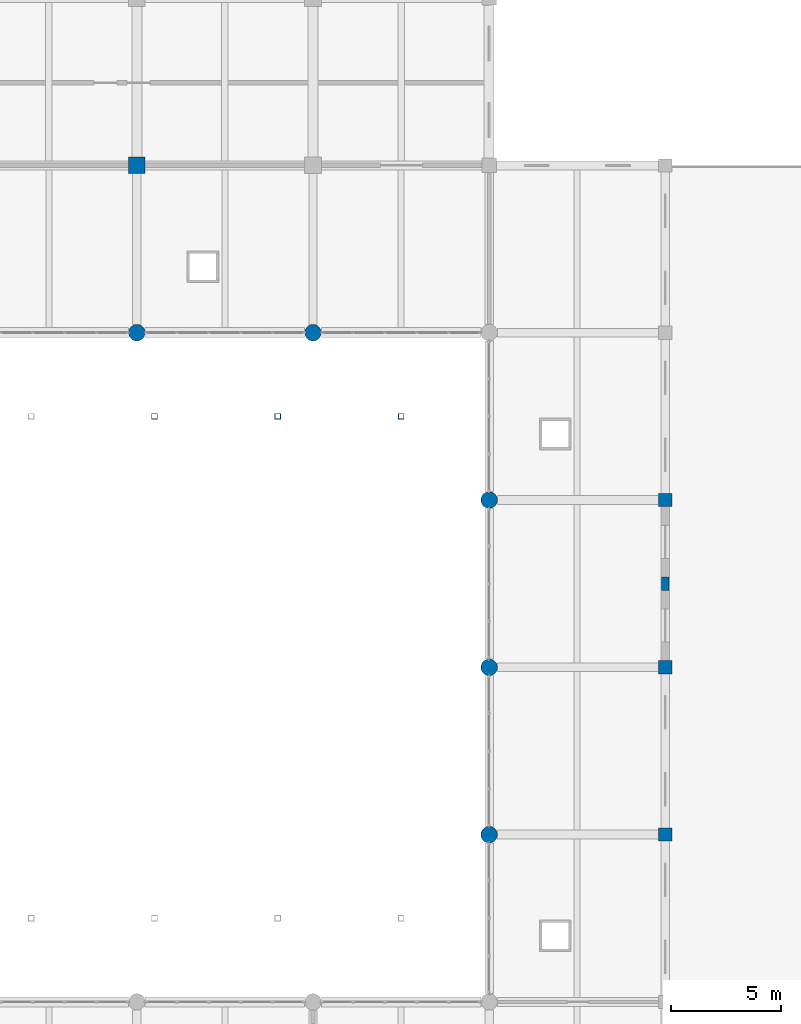
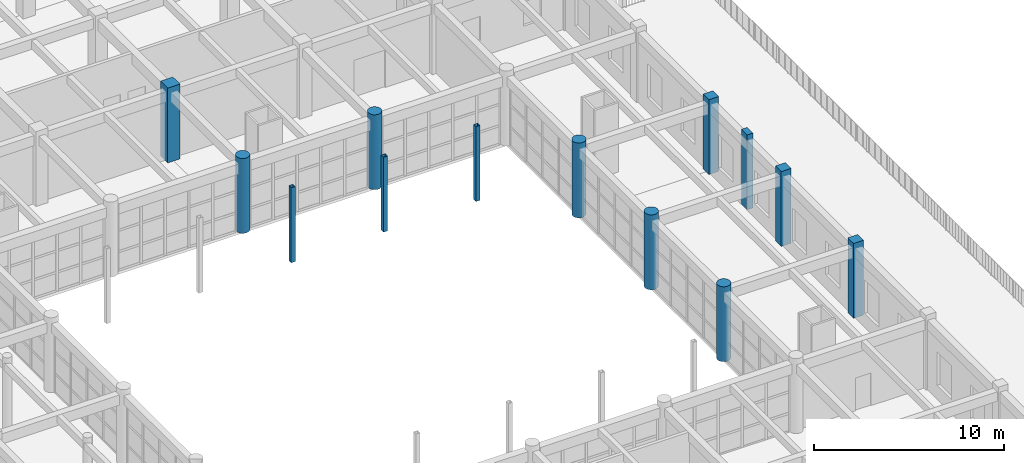
# One storey, part 5 of 101: 13 columns.
"""IFC4 building model written with IfcOpenShell, lengths in metres."""

from ifc_helpers import new_model, si_unit, direction, frame, origin, origin_2d, place, context, subcontext, project, spatial, rectangle, hollow_rectangle, circle, extrude, material, material_profile, profile_set, type_object, element, save


model = new_model("IFC4")

# Units and contexts
model_context = context("Model", 3, precision=1e-05, world=origin(), true_north=direction((0.0, 1.0)))
body_context = subcontext(model_context, "Body", "Model", "MODEL_VIEW")
ifc_project = project(units=[si_unit("LENGTHUNIT", "METRE"), si_unit("AREAUNIT", "SQUARE_METRE"), si_unit("VOLUMEUNIT", "CUBIC_METRE"), si_unit("PLANEANGLEUNIT", "RADIAN"), si_unit("MASSUNIT", "GRAM", prefix="KILO")], contexts=[model_context])

# Site, building, storey
site_placement = place(None, origin())
site = spatial("IfcSite", under=ifc_project, at=site_placement, CompositionType="ELEMENT")
building_placement = place(site_placement, origin())
building = spatial("IfcBuilding", under=site, at=building_placement, Name="Zantavel Square City Hall", CompositionType="ELEMENT")
storey_placement = place(building_placement, frame((0.0, 0.0, 5.39990234375)))
storey = spatial("IfcBuildingStorey", under=building, at=storey_placement, Name="L02", CompositionType="ELEMENT", Elevation=5.39990234375)

# Columns
ifc_material_1 = material(Name="Concrete C40/50", Category="concrete")
ifc_material_profile_1 = material_profile(ifc_material_1, rectangle(XDim=0.60009765625, YDim=0.35009765625, at=origin_2d()), Name="RC 600x350")
ifc_profile_set_1 = profile_set([ifc_material_profile_1], Name="Concrete C40/50")
column_type_1 = type_object("IfcColumnType", Name="Colossal Facade Pilaster 600x350 C40/50", PredefinedType="PILASTER", material=ifc_profile_set_1)
column_1_placement = place(storey_placement, frame((160.0, 57.0, 0.0), z_axis=(0.0, 0.0, 1.0), x_axis=(0.0, 1.0, 0.0)))
element("IfcColumn", 1, at=column_1_placement, inside=storey, type_object=column_type_1, Name="L02 Facade Pilaster PIL-L02-1600-0570", PredefinedType="PILASTER", context=body_context, shape_type="SweptSolid", body=[
    extrude(rectangle(XDim=0.60009765625, YDim=0.35009765625, at=origin_2d()), origin(), (0.0, 0.0, 1.0), 4.800048828125),
])
ifc_material_profile_2 = material_profile(ifc_material_1, rectangle(XDim=0.60009765625, YDim=0.60009765625, at=origin_2d()), Name="RC 600x600")
ifc_profile_set_2 = profile_set([ifc_material_profile_2], Name="Concrete C40/50")
column_type_2 = type_object("IfcColumnType", Name="Column RC 600x600 C40/50", PredefinedType="COLUMN", material=ifc_profile_set_2)
for number, where, z_axis, x_axis, name in (
    (2, (160.0, 45.60009765625, 0.0), (0.0, 0.0, 1.0), (1.0, 0.0, 0.0), "L02 Column COL-L02-1600-0456"),
    (3, (160.0, 53.199951171875, 0.0), (0.0, 0.0, 1.0), (1.0, 0.0, 0.0), "L02 Column COL-L02-1600-0532"),
    (4, (160.0, 60.800048828125, 0.0), (0.0, 0.0, 1.0), (1.0, 0.0, 0.0), "L02 Column COL-L02-1600-0608"),
):
    element("IfcColumn", number, at=place(storey_placement, frame(where, z_axis=z_axis, x_axis=x_axis)), inside=storey, type_object=column_type_2, Name=name, PredefinedType="COLUMN", context=body_context, shape_type="SweptSolid", body=[
        extrude(rectangle(XDim=0.60009765625, YDim=0.60009765625, at=origin_2d()), origin(), (0.0, 0.0, 1.0), 4.800048828125),
    ])
ifc_material_profile_3 = material_profile(ifc_material_1, rectangle(XDim=0.75, YDim=0.75, at=origin_2d()), Name="RC 750x750")
ifc_profile_set_3 = profile_set([ifc_material_profile_3], Name="Concrete C40/50")
column_type_3 = type_object("IfcColumnType", Name="Column RC 750x750 C40/50", PredefinedType="COLUMN", material=ifc_profile_set_3)
column_2_placement = place(storey_placement, frame((136.0, 76.0, 0.0), z_axis=(0.0, 0.0, 1.0), x_axis=(1.0, 0.0, 0.0)))
element("IfcColumn", 5, at=column_2_placement, inside=storey, type_object=column_type_3, Name="L02 Column COL-L02-1360-0760", PredefinedType="COLUMN", context=body_context, shape_type="SweptSolid", body=[
    extrude(rectangle(XDim=0.75, YDim=0.75, at=origin_2d()), origin(), (0.0, 0.0, 1.0), 4.800048828125),
])
ifc_material_profile_4 = material_profile(ifc_material_1, circle(Radius=0.375, at=origin_2d()), Name="ROUND D750")
ifc_profile_set_4 = profile_set([ifc_material_profile_4], Name="Concrete C40/50")
column_type_4 = type_object("IfcColumnType", Name="Courtyard Ionic Column D750 C40/50", PredefinedType="COLUMN", material=ifc_profile_set_4)
for number, where, z_axis, x_axis, name in (
    (6, (136.0, 68.39990234375, 0.0), (0.0, 0.0, 1.0), (1.0, 0.0, 0.0), "L02 Column COL-L02-1360-0684"),
    (7, (144.0, 68.39990234375, 0.0), (0.0, 0.0, 1.0), (1.0, 0.0, 0.0), "L02 Column COL-L02-1440-0684"),
    (8, (152.0, 45.60009765625, 0.0), (0.0, 0.0, 1.0), (1.0, 0.0, 0.0), "L02 Column COL-L02-1520-0456"),
    (9, (152.0, 53.199951171875, 0.0), (0.0, 0.0, 1.0), (1.0, 0.0, 0.0), "L02 Column COL-L02-1520-0532"),
    (10, (152.0, 60.800048828125, 0.0), (0.0, 0.0, 1.0), (1.0, 0.0, 0.0), "L02 Column COL-L02-1520-0608"),
):
    element("IfcColumn", number, at=place(storey_placement, frame(where, z_axis=z_axis, x_axis=x_axis)), inside=storey, type_object=column_type_4, Name=name, PredefinedType="COLUMN", context=body_context, shape_type="SweptSolid", body=[
        extrude(circle(Radius=0.375, at=origin_2d()), origin(), (0.0, 0.0, 1.0), 4.800048828125),
    ])
ifc_material_2 = material(Name="Steel ASTM A500 Grade B", Category="steel")
ifc_material_profile_5 = material_profile(ifc_material_2, hollow_rectangle(XDim=0.25390625, YDim=0.25390625, WallThickness=0.0126953125, at=origin_2d()), Name="HSS 254x254x12.7")
ifc_profile_set_5 = profile_set([ifc_material_profile_5], Name="Steel ASTM A500 Grade B")
column_type_5 = type_object("IfcColumnType", Name="Pavilion Steel Column HSS254", PredefinedType="COLUMN", material=ifc_profile_set_5)
for number, where, z_axis, x_axis, name in (
    (11, (136.800048828125, 64.60009765625, 0.0), (0.0, 0.0, 1.0), (1.0, 0.0, 0.0), "L02 Courtyard Skylight Column 3-N"),
    (12, (142.39990234375, 64.60009765625, 0.0), (0.0, 0.0, 1.0), (1.0, 0.0, 0.0), "L02 Courtyard Skylight Column 4-N"),
    (13, (148.0, 64.60009765625, 0.0), (0.0, 0.0, 1.0), (1.0, 0.0, 0.0), "L02 Courtyard Skylight Column 5-N"),
):
    element("IfcColumn", number, at=place(storey_placement, frame(where, z_axis=z_axis, x_axis=x_axis)), inside=storey, type_object=column_type_5, Name=name, PredefinedType="COLUMN", context=body_context, shape_type="SweptSolid", body=[
        extrude(hollow_rectangle(XDim=0.25390625, YDim=0.25390625, WallThickness=0.0126953125, at=origin_2d()), origin(), (0.0, 0.0, 1.0), 4.800048828125),
    ])

save(model, "model.ifc")
